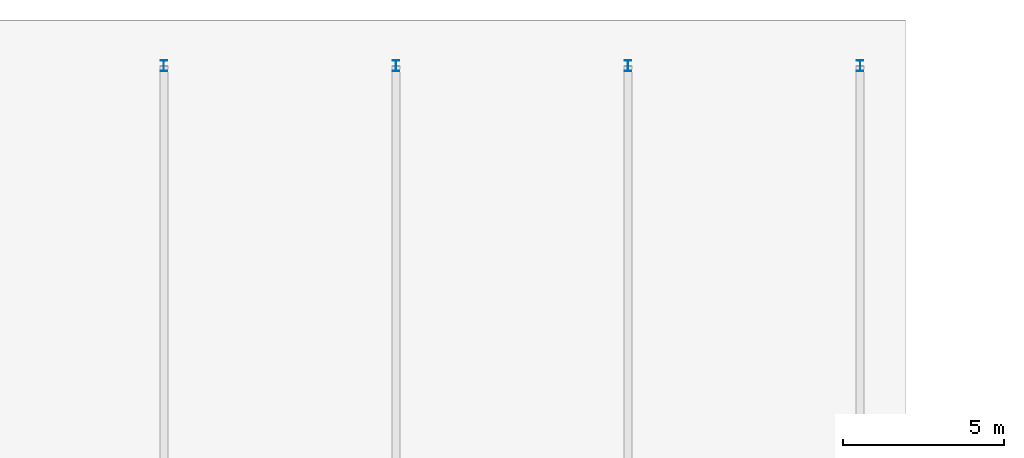
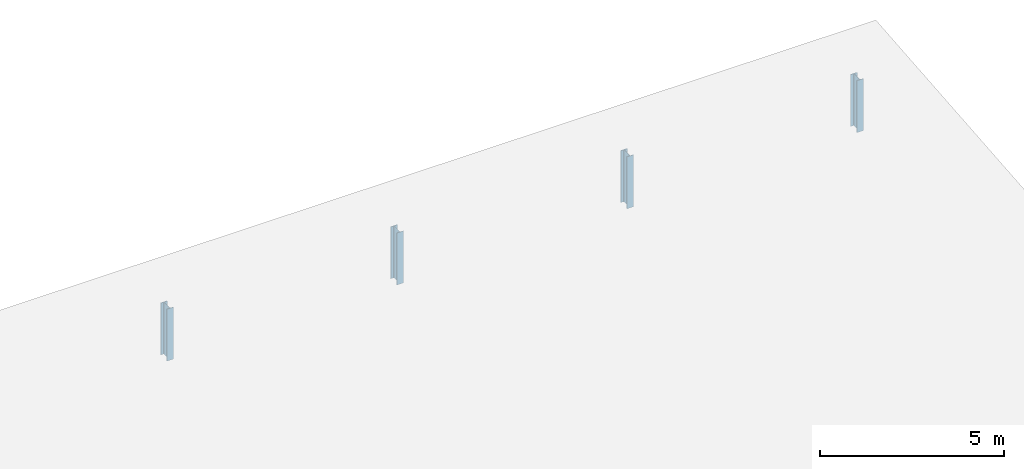
# One storey, part 9 of 38: 4 columns.
"""IFC4 building model written with IfcOpenShell, lengths in metres."""

from ifc_helpers import new_model, si_unit, direction, frame, origin, origin_2d, place, context, subcontext, project, spatial, i_section, extrude, material, material_profile, profile_set, type_object, element, save


model = new_model("IFC4")

# Units and contexts
model_context = context("Model", 3, precision=1e-05, world=origin(), true_north=direction((0.0, 1.0)))
body_context = subcontext(model_context, "Body", "Model", "MODEL_VIEW")
ifc_project = project(units=[si_unit("LENGTHUNIT", "METRE"), si_unit("AREAUNIT", "SQUARE_METRE"), si_unit("VOLUMEUNIT", "CUBIC_METRE"), si_unit("PLANEANGLEUNIT", "RADIAN"), si_unit("MASSUNIT", "GRAM", prefix="KILO")], contexts=[model_context])

# Site, building, storey
site_placement = place(None, origin())
site = spatial("IfcSite", under=ifc_project, at=site_placement, CompositionType="ELEMENT")
building_placement = place(site_placement, origin())
building = spatial("IfcBuilding", under=site, at=building_placement, Name="Kalmorath City Hall", CompositionType="ELEMENT")
storey_placement = place(building_placement, frame((0.0, 0.0, 18.89990234375)))
storey = spatial("IfcBuildingStorey", under=building, at=storey_placement, Name="L04", CompositionType="ELEMENT", Elevation=18.89990234375)

# Columns
ifc_material = material(Name="Steel ASTM A992 Grade 50", Category="steel")
ifc_material_profile = material_profile(ifc_material, i_section(OverallWidth=0.2041015625, OverallDepth=0.35009765625, WebThickness=0.008544921875, FlangeThickness=0.01513671875, FilletRadius=0.014892578125, at=origin_2d()), Name="W14X48")
ifc_profile_set = profile_set([ifc_material_profile], Name="Steel ASTM A992 Grade 50")
column_type = type_object("IfcColumnType", Name="Steel wide-flange column W14X48", PredefinedType="COLUMN", material=ifc_profile_set)
for number, where, z_axis, x_axis, name in (
    (1, (93.60009765625, 115.199951171875, 0.0), (0.0, 0.0, 1.0), (1.0, 0.0, 0.0), "L04 north ridge post SC6-6"),
    (2, (100.800048828125, 115.199951171875, 0.0), (0.0, 0.0, 1.0), (1.0, 0.0, 0.0), "L04 north ridge post SC6-7"),
    (3, (108.0, 115.199951171875, 0.0), (0.0, 0.0, 1.0), (1.0, 0.0, 0.0), "L04 north ridge post SC6-8"),
    (4, (115.199951171875, 115.199951171875, 0.0), (0.0, 0.0, 1.0), (1.0, 0.0, 0.0), "L04 north ridge post SC6-9"),
):
    element("IfcColumn", number, at=place(storey_placement, frame(where, z_axis=z_axis, x_axis=x_axis)), inside=storey, type_object=column_type, Name=name, PredefinedType="COLUMN", context=body_context, shape_type="SweptSolid", body=[
        extrude(i_section(OverallWidth=0.2041015625, OverallDepth=0.35009765625, WebThickness=0.008544921875, FlangeThickness=0.01513671875, FilletRadius=0.014892578125, at=origin_2d()), origin(), (0.0, 0.0, 1.0), 1.72021484375),
    ])

save(model, "model.ifc")
